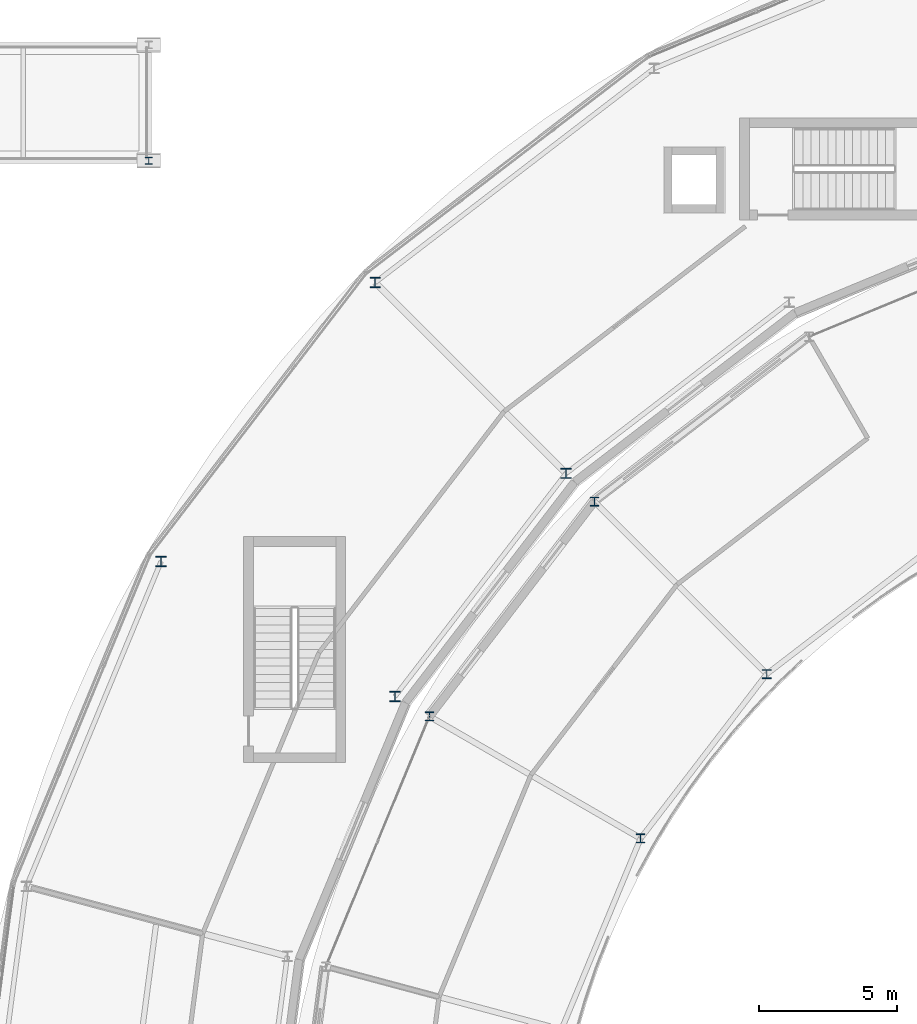
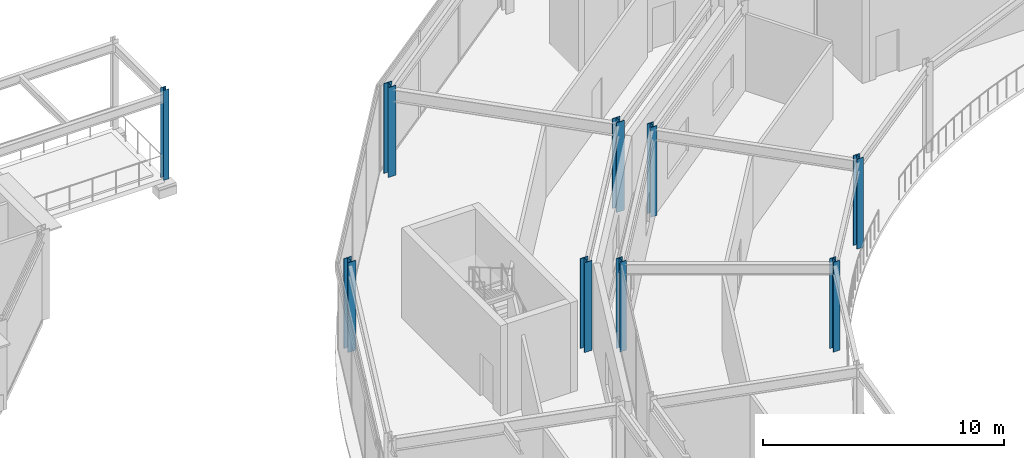
# One storey, part 11 of 157: 9 columns.
"""IFC4 building model written with IfcOpenShell, lengths in metres."""

from ifc_helpers import new_model, si_unit, direction, frame, origin, origin_2d, place, context, subcontext, project, spatial, i_section, extrude, material, material_profile, profile_set, type_object, element, save


model = new_model("IFC4")

# Units and contexts
model_context = context("Model", 3, precision=1e-05, world=origin(), true_north=direction((0.0, 1.0)))
body_context = subcontext(model_context, "Body", "Model", "MODEL_VIEW")
ifc_project = project(units=[si_unit("LENGTHUNIT", "METRE"), si_unit("AREAUNIT", "SQUARE_METRE"), si_unit("VOLUMEUNIT", "CUBIC_METRE"), si_unit("PLANEANGLEUNIT", "RADIAN"), si_unit("MASSUNIT", "GRAM", prefix="KILO")], contexts=[model_context])

# Site, building, storey
site_placement = place(None, origin())
site = spatial("IfcSite", under=ifc_project, at=site_placement, CompositionType="ELEMENT")
building_placement = place(site_placement, origin())
building = spatial("IfcBuilding", under=site, at=building_placement, Name="Almandine Court Research Institute", CompositionType="ELEMENT")
storey_placement = place(building_placement, frame((0.0, 0.0, 5.25)))
storey = spatial("IfcBuildingStorey", under=building, at=storey_placement, Name="L01", CompositionType="ELEMENT", Elevation=5.25)

# Columns
ifc_material = material(Name="Steel ASTM A992 Grade 50", Category="steel")
ifc_material_profile_1 = material_profile(ifc_material, i_section(OverallWidth=0.373046875, OverallDepth=0.367919921875, WebThickness=0.01708984375, FlangeThickness=0.027099609375, at=origin_2d()), Name="W360x179")
ifc_profile_set_1 = profile_set([ifc_material_profile_1], Name="Steel ASTM A992 Grade 50")
column_type_1 = type_object("IfcColumnType", Name="Col-C-W03-E", PredefinedType="COLUMN", material=ifc_profile_set_1)
for number, where, z_axis, x_axis, name in (
    (1, (59.35205078125, 83.64794921875, 0.0), (0.0, 0.0, 1.0), (1.0, 0.0, 0.0), "L01 V5 Column V5-IN-S09"),
    (2, (52.422119140625, 90.577880859375, 0.0), (0.0, 0.0, 1.0), (1.0, 0.0, 0.0), "L01 V5 Column V5-OUT-S09"),
    (3, (53.137939453125, 75.550048828125, 0.0), (0.0, 0.0, 1.0), (1.0, 0.0, 0.0), "L01 V5 Column V5-IN-S10"),
    (4, (44.65087890625, 80.449951171875, 0.0), (0.0, 0.0, 1.0), (1.0, 0.0, 0.0), "L01 V5 Column V5-OUT-S10"),
):
    element("IfcColumn", number, at=place(storey_placement, frame(where, z_axis=z_axis, x_axis=x_axis)), inside=storey, type_object=column_type_1, Name=name, PredefinedType="COLUMN", context=body_context, shape_type="SweptSolid", body=[
        extrude(i_section(OverallWidth=0.373046875, OverallDepth=0.367919921875, WebThickness=0.01708984375, FlangeThickness=0.027099609375, at=origin_2d()), origin(), (0.0, 0.0, 1.0), 4.550048828125),
    ])
ifc_material_profile_2 = material_profile(ifc_material, i_section(OverallWidth=0.31005859375, OverallDepth=0.326904296875, WebThickness=0.01611328125, FlangeThickness=0.02490234375, at=origin_2d()), Name="W310x158")
ifc_profile_set_2 = profile_set([ifc_material_profile_2], Name="Steel ASTM A992 Grade 50")
column_type_2 = type_object("IfcColumnType", Name="Col-C-W06", PredefinedType="COLUMN", material=ifc_profile_set_2)
for number, where, z_axis, x_axis, name in (
    (5, (60.376953125, 82.623046875, 0.0), (0.0, 0.0, 1.0), (1.0, 0.0, 0.0), "L01 V2 Column V2-OUT-S09"),
    (6, (54.39404296875, 74.824951171875, 0.0), (0.0, 0.0, 1.0), (1.0, 0.0, 0.0), "L01 V2 Column V2-OUT-S10"),
    (7, (66.635009765625, 76.364990234375, 0.0), (0.0, 0.0, 1.0), (1.0, 0.0, 0.0), "L01 V2 Column V2-MID-S09"),
    (8, (62.05810546875, 70.39990234375, 0.0), (0.0, 0.0, 1.0), (1.0, 0.0, 0.0), "L01 V2 Column V2-MID-S10"),
):
    element("IfcColumn", number, at=place(storey_placement, frame(where, z_axis=z_axis, x_axis=x_axis)), inside=storey, type_object=column_type_2, Name=name, PredefinedType="COLUMN", context=body_context, shape_type="SweptSolid", body=[
        extrude(i_section(OverallWidth=0.31005859375, OverallDepth=0.326904296875, WebThickness=0.01611328125, FlangeThickness=0.02490234375, at=origin_2d()), origin(), (0.0, 0.0, 1.0), 4.550048828125),
    ])
ifc_material_profile_3 = material_profile(ifc_material, i_section(OverallWidth=0.25390625, OverallDepth=0.2529296875, WebThickness=0.009033203125, FlangeThickness=0.013916015625, at=origin_2d()), Name="W250x73")
ifc_profile_set_3 = profile_set([ifc_material_profile_3], Name="Steel ASTM A992 Grade 50")
column_type_3 = type_object("IfcColumnType", Name="Col-C-W10-E", PredefinedType="COLUMN", material=ifc_profile_set_3)
column_placement = place(storey_placement, frame((44.199951171875, 95.0, 0.0), z_axis=(0.0, 0.0, 1.0), x_axis=(1.0, 0.0, 0.0)))
element("IfcColumn", 9, at=column_placement, inside=storey, type_object=column_type_3, Name="L01 DAL-NW Column DAL-NW-X2Y1", PredefinedType="COLUMN", context=body_context, shape_type="SweptSolid", body=[
    extrude(i_section(OverallWidth=0.25390625, OverallDepth=0.2529296875, WebThickness=0.009033203125, FlangeThickness=0.013916015625, at=origin_2d()), origin(), (0.0, 0.0, 1.0), 4.550048828125),
])

save(model, "model.ifc")
